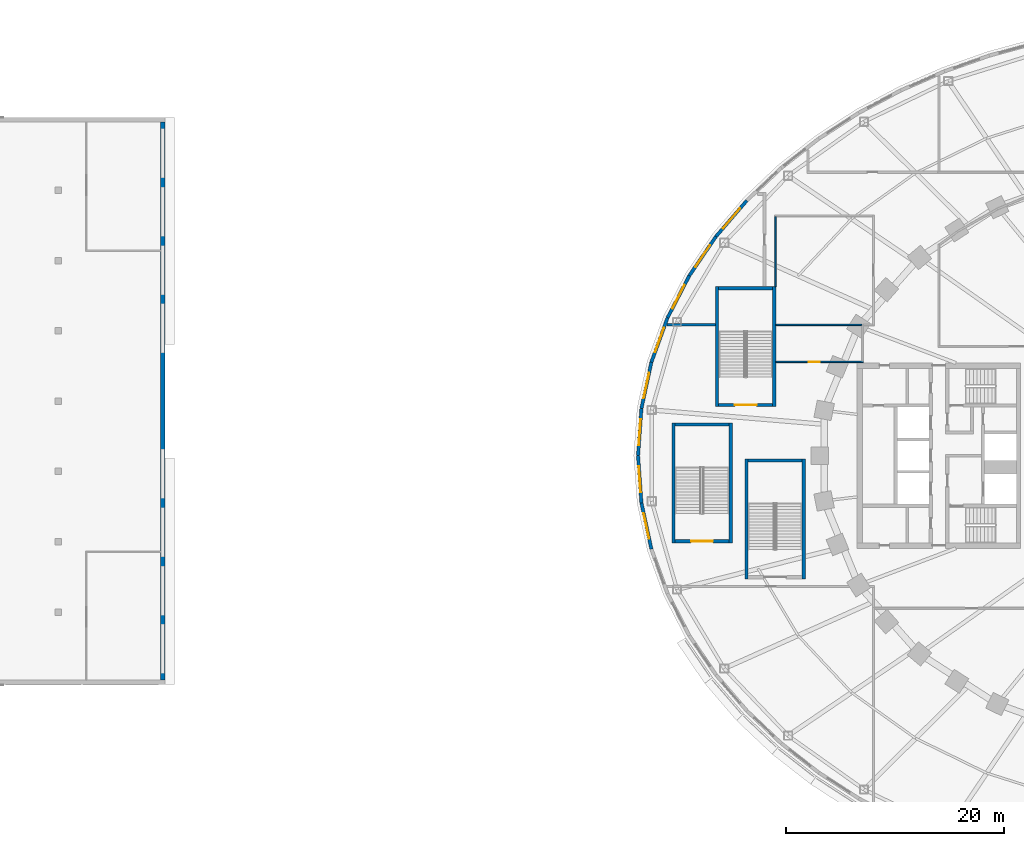
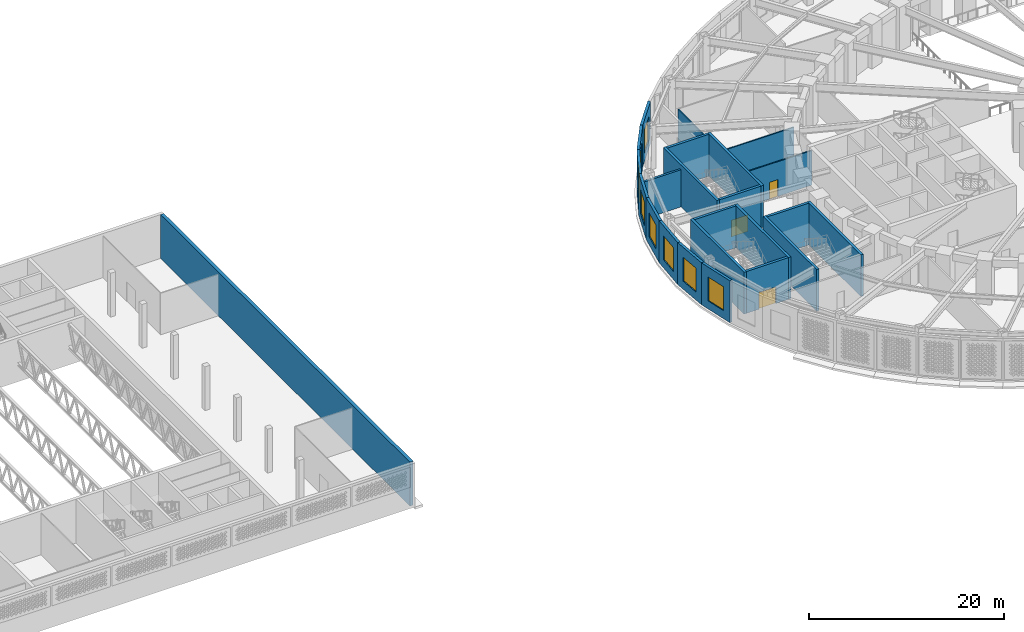
# One storey, part 13 of 69: 24 walls, 8 windows, 3 doors, 11 openings.
"""IFC4 building model written with IfcOpenShell, lengths in metres."""

from ifc_helpers import new_model, si_unit, direction, frame, frame_2d, origin, place, context, subcontext, project, spatial, rectangle, extrude, material, layer, layer_set, type_object, element, fill, save


model = new_model("IFC4")

# Units and contexts
model_context = context("Model", 3, precision=1e-05, world=origin(), true_north=direction((0.0, 1.0)))
body_context = subcontext(model_context, "Body", "Model", "MODEL_VIEW")
ifc_project = project(units=[si_unit("LENGTHUNIT", "METRE"), si_unit("AREAUNIT", "SQUARE_METRE"), si_unit("VOLUMEUNIT", "CUBIC_METRE"), si_unit("PLANEANGLEUNIT", "RADIAN"), si_unit("MASSUNIT", "GRAM", prefix="KILO")], contexts=[model_context])

# Site, building, storey
site_placement = place(None, origin())
site = spatial("IfcSite", under=ifc_project, at=site_placement, CompositionType="ELEMENT")
building_placement = place(site_placement, origin())
building = spatial("IfcBuilding", under=site, at=building_placement, Name="Noorbagh Ring Tower", CompositionType="ELEMENT")
storey_placement = place(building_placement, frame((0.0, 0.0, 19.5)))
storey = spatial("IfcBuildingStorey", under=building, at=storey_placement, Name="L03", CompositionType="ELEMENT", Elevation=19.5)

# Wall, opening, window
ifc_material_1 = material(Name="Blockwork faced with red sandstone", Category="masonry")
ifc_layer_1 = layer(ifc_material_1, 0.300048828125)
ifc_layer_set_1 = layer_set([ifc_layer_1], Name="Blockwork faced with red sandstone")
wall_type_1 = type_object("IfcWallType", Name="GND-ENV-WALL", PredefinedType="SOLIDWALL", material=ifc_layer_set_1)
wall_1_placement = place(storey_placement, frame((-41.61669921875, 23.406005859375, 0.0), z_axis=(0.0, 0.0, 1.0), x_axis=(-0.651387059497, -0.758745608699, 0.0)))
wall_1 = element("IfcWall", 1, at=wall_1_placement, inside=storey, type_object=wall_type_1, Name="Podium wall", PredefinedType="SOLIDWALL", context=body_context, shape_type="SweptSolid", body=[
    extrude(rectangle(XDim=4.3525390625, YDim=0.300048828125, at=frame_2d((2.17626953125, 0.0))), origin(), (0.0, 0.0, 1.0), 5.25),
])
opening_1_placement = place(wall_1_placement, frame((0.976318359375, 0.0, 1.0)))
opening_1 = element("IfcOpeningElement", 2, at=opening_1_placement, cuts=wall_1, Name="Opening GWN1", PredefinedType="OPENING", context=body_context, shape_type="SweptSolid", body=[
    extrude(rectangle(XDim=2.39990234375, YDim=3.0, at=frame_2d((1.199951171875, 1.5))), frame((0.0, 0.16015625, 0.0), z_axis=(0.0, -1.0, 0.0), x_axis=(1.0, 0.0, 0.0)), (0.0, 0.0, 1.0), 0.320068359375),
])
ifc_material_2 = material(Name="Aluminium and glass", Category="aluminium")
window_type = type_object("IfcWindowType", Name="GND-ENV-WINDOW", PartitioningType="SINGLE_PANEL", PredefinedType="WINDOW", material=ifc_material_2)
window_1_placement = place(opening_1_placement, origin())
window_1 = element("IfcWindow", 3, at=window_1_placement, inside=storey, type_object=window_type, Name="L03 podium window", OverallHeight=3.0, OverallWidth=2.39990234375, PartitioningType="SINGLE_PANEL", PredefinedType="WINDOW", context=body_context, shape_type="SweptSolid", body=[
    extrude(rectangle(XDim=2.39990234375, YDim=3.0, at=frame_2d((1.199951171875, 1.5))), frame((0.0, 0.030029296875, 0.0), z_axis=(0.0, -1.0, 0.0), x_axis=(1.0, 0.0, 0.0)), (0.0, 0.0, 1.0), 0.06005859375),
])
fill(opening_1, window_1)

wall_2_placement = place(storey_placement, frame((-44.451904296875, 20.103515625, 0.0), z_axis=(0.0, 0.0, 1.0), x_axis=(-0.562667738859, -0.82668314102, 0.0)))
wall_2 = element("IfcWall", 4, at=wall_2_placement, inside=storey, type_object=wall_type_1, Name="Podium wall", PredefinedType="SOLIDWALL", context=body_context, shape_type="SweptSolid", body=[
    extrude(rectangle(XDim=4.348876953125, YDim=0.300048828125, at=frame_2d((2.17431640625, 0.0))), origin(), (0.0, 0.0, 1.0), 5.25),
])
opening_2_placement = place(wall_2_placement, frame((0.974365234375, 0.0, 1.0)))
opening_2 = element("IfcOpeningElement", 5, at=opening_2_placement, cuts=wall_2, Name="Opening GWN1", PredefinedType="OPENING", context=body_context, shape_type="SweptSolid", body=[
    extrude(rectangle(XDim=2.39990234375, YDim=3.0, at=frame_2d((1.199951171875, 1.5))), frame((0.0, 0.16015625, 0.0), z_axis=(0.0, -1.0, 0.0), x_axis=(1.0, 0.0, 0.0)), (0.0, 0.0, 1.0), 0.320068359375),
])
window_2_placement = place(opening_2_placement, origin())
window_2 = element("IfcWindow", 6, at=window_2_placement, inside=storey, type_object=window_type, Name="L03 podium window", OverallHeight=3.0, OverallWidth=2.39990234375, PartitioningType="SINGLE_PANEL", PredefinedType="WINDOW", context=body_context, shape_type="SweptSolid", body=[
    extrude(rectangle(XDim=2.39990234375, YDim=3.0, at=frame_2d((1.199951171875, 1.5))), frame((0.0, 0.030029296875, 0.0), z_axis=(0.0, -1.0, 0.0), x_axis=(1.0, 0.0, 0.0)), (0.0, 0.0, 1.0), 0.06005859375),
])
fill(opening_2, window_2)

wall_3_placement = place(storey_placement, frame((-46.89892578125, 16.50830078125, 0.0), z_axis=(0.0, 0.0, 1.0), x_axis=(-0.459242531468, -0.888310923771, 0.0)))
wall_3 = element("IfcWall", 7, at=wall_3_placement, inside=storey, type_object=wall_type_1, Name="Podium wall", PredefinedType="SOLIDWALL", context=body_context, shape_type="SweptSolid", body=[
    extrude(rectangle(XDim=4.344970703125, YDim=0.300048828125, at=frame_2d((2.17236328125, 0.0))), origin(), (0.0, 0.0, 1.0), 5.25),
])
opening_3_placement = place(wall_3_placement, frame((0.972412109375, 0.0, 1.0)))
opening_3 = element("IfcOpeningElement", 8, at=opening_3_placement, cuts=wall_3, Name="Opening GWN1", PredefinedType="OPENING", context=body_context, shape_type="SweptSolid", body=[
    extrude(rectangle(XDim=2.39990234375, YDim=3.0, at=frame_2d((1.199951171875, 1.5))), frame((0.0, 0.16015625, 0.0), z_axis=(0.0, -1.0, 0.0), x_axis=(1.0, 0.0, 0.0)), (0.0, 0.0, 1.0), 0.320068359375),
])
window_3_placement = place(opening_3_placement, origin())
window_3 = element("IfcWindow", 9, at=window_3_placement, inside=storey, type_object=window_type, Name="L03 podium window", OverallHeight=3.0, OverallWidth=2.39990234375, PartitioningType="SINGLE_PANEL", PredefinedType="WINDOW", context=body_context, shape_type="SweptSolid", body=[
    extrude(rectangle(XDim=2.39990234375, YDim=3.0, at=frame_2d((1.199951171875, 1.5))), frame((0.0, 0.030029296875, 0.0), z_axis=(0.0, -1.0, 0.0), x_axis=(1.0, 0.0, 0.0)), (0.0, 0.0, 1.0), 0.06005859375),
])
fill(opening_3, window_3)

wall_4_placement = place(storey_placement, frame((-48.894287109375, 12.648681640625, 0.0), z_axis=(0.0, 0.0, 1.0), x_axis=(-0.341286990045, -0.939959142956, 0.0)))
wall_4 = element("IfcWall", 10, at=wall_4_placement, inside=storey, type_object=wall_type_1, Name="Podium wall", PredefinedType="SOLIDWALL", context=body_context, shape_type="SweptSolid", body=[
    extrude(rectangle(XDim=4.341552734375, YDim=0.300048828125, at=frame_2d((2.1708984375, 0.0))), origin(), (0.0, 0.0, 1.0), 5.25),
])
opening_4_placement = place(wall_4_placement, frame((0.970703125, 0.0, 1.0)))
opening_4 = element("IfcOpeningElement", 11, at=opening_4_placement, cuts=wall_4, Name="Opening GWN1", PredefinedType="OPENING", context=body_context, shape_type="SweptSolid", body=[
    extrude(rectangle(XDim=2.39990234375, YDim=3.0, at=frame_2d((1.199951171875, 1.5))), frame((0.0, 0.16015625, 0.0), z_axis=(0.0, -1.0, 0.0), x_axis=(1.0, 0.0, 0.0)), (0.0, 0.0, 1.0), 0.320068359375),
])
window_4_placement = place(opening_4_placement, origin())
window_4 = element("IfcWindow", 12, at=window_4_placement, inside=storey, type_object=window_type, Name="L03 podium window", OverallHeight=3.0, OverallWidth=2.39990234375, PartitioningType="SINGLE_PANEL", PredefinedType="WINDOW", context=body_context, shape_type="SweptSolid", body=[
    extrude(rectangle(XDim=2.39990234375, YDim=3.0, at=frame_2d((1.199951171875, 1.5))), frame((0.0, 0.030029296875, 0.0), z_axis=(0.0, -1.0, 0.0), x_axis=(1.0, 0.0, 0.0)), (0.0, 0.0, 1.0), 0.06005859375),
])
fill(opening_4, window_4)

wall_5_placement = place(storey_placement, frame((-50.3759765625, 8.56787109375, 0.0), z_axis=(0.0, 0.0, 1.0), x_axis=(-0.210616468766, -0.977568771537, 0.0)))
wall_5 = element("IfcWall", 13, at=wall_5_placement, inside=storey, type_object=wall_type_1, Name="Podium wall", PredefinedType="SOLIDWALL", context=body_context, shape_type="SweptSolid", body=[
    extrude(rectangle(XDim=4.3388671875, YDim=0.300048828125, at=frame_2d((2.16943359375, 0.0))), origin(), (0.0, 0.0, 1.0), 5.25),
])
opening_5_placement = place(wall_5_placement, frame((0.969482421875, 0.0, 1.0)))
opening_5 = element("IfcOpeningElement", 14, at=opening_5_placement, cuts=wall_5, Name="Opening GWN1", PredefinedType="OPENING", context=body_context, shape_type="SweptSolid", body=[
    extrude(rectangle(XDim=2.39990234375, YDim=3.0, at=frame_2d((1.199951171875, 1.5))), frame((0.0, 0.16015625, 0.0), z_axis=(0.0, -1.0, 0.0), x_axis=(1.0, 0.0, 0.0)), (0.0, 0.0, 1.0), 0.320068359375),
])
window_5_placement = place(opening_5_placement, origin())
window_5 = element("IfcWindow", 15, at=window_5_placement, inside=storey, type_object=window_type, Name="L03 podium window", OverallHeight=3.0, OverallWidth=2.39990234375, PartitioningType="SINGLE_PANEL", PredefinedType="WINDOW", context=body_context, shape_type="SweptSolid", body=[
    extrude(rectangle(XDim=2.39990234375, YDim=3.0, at=frame_2d((1.199951171875, 1.5))), frame((0.0, 0.030029296875, 0.0), z_axis=(0.0, -1.0, 0.0), x_axis=(1.0, 0.0, 0.0)), (0.0, 0.0, 1.0), 0.06005859375),
])
fill(opening_5, window_5)

wall_6_placement = place(storey_placement, frame((-51.289794921875, 4.326416015625, 0.0), z_axis=(0.0, 0.0, 1.0), x_axis=(-0.071315050824, -0.997453840298, 0.0)))
wall_6 = element("IfcWall", 16, at=wall_6_placement, inside=storey, type_object=wall_type_1, Name="Podium wall", PredefinedType="SOLIDWALL", context=body_context, shape_type="SweptSolid", body=[
    extrude(rectangle(XDim=4.33740234375, YDim=0.300048828125, at=frame_2d((2.168701171875, 0.0))), origin(), (0.0, 0.0, 1.0), 5.25),
])
opening_6_placement = place(wall_6_placement, frame((0.96875, 0.0, 1.0)))
opening_6 = element("IfcOpeningElement", 17, at=opening_6_placement, cuts=wall_6, Name="Opening GWN1", PredefinedType="OPENING", context=body_context, shape_type="SweptSolid", body=[
    extrude(rectangle(XDim=2.39990234375, YDim=3.0, at=frame_2d((1.199951171875, 1.5))), frame((0.0, 0.16015625, 0.0), z_axis=(0.0, -1.0, 0.0), x_axis=(1.0, 0.0, 0.0)), (0.0, 0.0, 1.0), 0.320068359375),
])
window_6_placement = place(opening_6_placement, origin())
window_6 = element("IfcWindow", 18, at=window_6_placement, inside=storey, type_object=window_type, Name="L03 podium window", OverallHeight=3.0, OverallWidth=2.39990234375, PartitioningType="SINGLE_PANEL", PredefinedType="WINDOW", context=body_context, shape_type="SweptSolid", body=[
    extrude(rectangle(XDim=2.39990234375, YDim=3.0, at=frame_2d((1.199951171875, 1.5))), frame((0.0, 0.030029296875, 0.0), z_axis=(0.0, -1.0, 0.0), x_axis=(1.0, 0.0, 0.0)), (0.0, 0.0, 1.0), 0.06005859375),
])
fill(opening_6, window_6)

wall_7_placement = place(storey_placement, frame((-51.59912109375, 0.0, 0.0), z_axis=(0.0, 0.0, 1.0), x_axis=(0.071315050824, -0.997453840298, 0.0)))
wall_7 = element("IfcWall", 19, at=wall_7_placement, inside=storey, type_object=wall_type_1, Name="Podium wall", PredefinedType="SOLIDWALL", context=body_context, shape_type="SweptSolid", body=[
    extrude(rectangle(XDim=4.33740234375, YDim=0.300048828125, at=frame_2d((2.168701171875, 0.0))), origin(), (0.0, 0.0, 1.0), 5.25),
])
opening_7_placement = place(wall_7_placement, frame((0.96875, 0.0, 1.0)))
opening_7 = element("IfcOpeningElement", 20, at=opening_7_placement, cuts=wall_7, Name="Opening GWN1", PredefinedType="OPENING", context=body_context, shape_type="SweptSolid", body=[
    extrude(rectangle(XDim=2.39990234375, YDim=3.0, at=frame_2d((1.199951171875, 1.5))), frame((0.0, 0.16015625, 0.0), z_axis=(0.0, -1.0, 0.0), x_axis=(1.0, 0.0, 0.0)), (0.0, 0.0, 1.0), 0.320068359375),
])
window_7_placement = place(opening_7_placement, origin())
window_7 = element("IfcWindow", 21, at=window_7_placement, inside=storey, type_object=window_type, Name="L03 podium window", OverallHeight=3.0, OverallWidth=2.39990234375, PartitioningType="SINGLE_PANEL", PredefinedType="WINDOW", context=body_context, shape_type="SweptSolid", body=[
    extrude(rectangle(XDim=2.39990234375, YDim=3.0, at=frame_2d((1.199951171875, 1.5))), frame((0.0, 0.030029296875, 0.0), z_axis=(0.0, -1.0, 0.0), x_axis=(1.0, 0.0, 0.0)), (0.0, 0.0, 1.0), 0.06005859375),
])
fill(opening_7, window_7)

wall_8_placement = place(storey_placement, frame((-51.289794921875, -4.326416015625, 0.0), z_axis=(0.0, 0.0, 1.0), x_axis=(0.210616468766, -0.977568771537, 0.0)))
wall_8 = element("IfcWall", 22, at=wall_8_placement, inside=storey, type_object=wall_type_1, Name="Podium wall", PredefinedType="SOLIDWALL", context=body_context, shape_type="SweptSolid", body=[
    extrude(rectangle(XDim=4.3388671875, YDim=0.300048828125, at=frame_2d((2.16943359375, 0.0))), origin(), (0.0, 0.0, 1.0), 5.25),
])
opening_8_placement = place(wall_8_placement, frame((0.969482421875, 0.0, 1.0)))
opening_8 = element("IfcOpeningElement", 23, at=opening_8_placement, cuts=wall_8, Name="Opening GWN1", PredefinedType="OPENING", context=body_context, shape_type="SweptSolid", body=[
    extrude(rectangle(XDim=2.39990234375, YDim=3.0, at=frame_2d((1.199951171875, 1.5))), frame((0.0, 0.16015625, 0.0), z_axis=(0.0, -1.0, 0.0), x_axis=(1.0, 0.0, 0.0)), (0.0, 0.0, 1.0), 0.320068359375),
])
window_8_placement = place(opening_8_placement, origin())
window_8 = element("IfcWindow", 24, at=window_8_placement, inside=storey, type_object=window_type, Name="L03 podium window", OverallHeight=3.0, OverallWidth=2.39990234375, PartitioningType="SINGLE_PANEL", PredefinedType="WINDOW", context=body_context, shape_type="SweptSolid", body=[
    extrude(rectangle(XDim=2.39990234375, YDim=3.0, at=frame_2d((1.199951171875, 1.5))), frame((0.0, 0.030029296875, 0.0), z_axis=(0.0, -1.0, 0.0), x_axis=(1.0, 0.0, 0.0)), (0.0, 0.0, 1.0), 0.06005859375),
])
fill(opening_8, window_8)

# Walls
ifc_material_3 = material(Name="Gypsum board on steel studs", Category="steel")
ifc_layer_2 = layer(ifc_material_3, 0.14990234375)
ifc_layer_set_2 = layer_set([ifc_layer_2], Name="Gypsum board on steel studs")
wall_type_2 = type_object("IfcWallType", Name="GND-PART-150", PredefinedType="PARTITIONING", material=ifc_layer_set_2)
wall_9_placement = place(storey_placement, frame((-31.06494140625, 12.0, 0.0), z_axis=(0.0, 0.0, 1.0), x_axis=(-1.0, 0.0, 0.0)))
element("IfcWall", 25, at=wall_9_placement, inside=storey, type_object=wall_type_2, Name="L03/wall/P028", PredefinedType="PARTITIONING", context=body_context, shape_type="SweptSolid", body=[
    extrude(rectangle(XDim=7.885009765625, YDim=0.14990234375, at=frame_2d((3.9423828125, 0.0))), origin(), (0.0, 0.0, 1.0), 5.25),
])
wall_10_placement = place(storey_placement, frame((-39.0, 15.5, 0.0), z_axis=(0.0, 0.0, 1.0), x_axis=(0.0, 1.0, 0.0)))
element("IfcWall", 26, at=wall_10_placement, inside=storey, type_object=wall_type_2, Name="L03/wall/P031", PredefinedType="PARTITIONING", context=body_context, shape_type="SweptSolid", body=[
    extrude(rectangle(XDim=6.425048828125, YDim=0.14990234375, at=frame_2d((3.21240234375, 0.0))), origin(), (0.0, 0.0, 1.0), 4.25),
])

# Wall, opening, door
wall_11_placement = place(storey_placement, frame((-30.925048828125, 8.60009765625, 0.0), z_axis=(0.0, 0.0, 1.0), x_axis=(-1.0, 0.0, 0.0)))
wall_11 = element("IfcWall", 27, at=wall_11_placement, inside=storey, type_object=wall_type_2, Name="L03/wall/P033", PredefinedType="PARTITIONING", context=body_context, shape_type="SweptSolid", body=[
    extrude(rectangle(XDim=8.02490234375, YDim=0.14990234375, at=frame_2d((4.012451171875, 0.0))), origin(), (0.0, 0.0, 1.0), 4.35009765625),
])
opening_9_placement = place(wall_11_placement, frame((4.012451171875, 0.0, 0.0)))
opening_9 = element("IfcOpeningElement", 28, at=opening_9_placement, cuts=wall_11, Name="Opening GD6", PredefinedType="OPENING", context=body_context, shape_type="SweptSolid", body=[
    extrude(rectangle(XDim=1.0, YDim=2.10009765625, at=frame_2d((0.5, 1.050048828125))), frame((0.0, 0.0849609375, 0.0), z_axis=(0.0, -1.0, 0.0), x_axis=(1.0, 0.0, 0.0)), (0.0, 0.0, 1.0), 0.169921875),
])
ifc_material_4 = material(Name="Timber", Category="wood")
door_type_1 = type_object("IfcDoorType", Name="GND-DOOR-HALL", OperationType="SINGLE_SWING_LEFT", PredefinedType="DOOR", material=ifc_material_4)
door_1_placement = place(opening_9_placement, origin())
door_1 = element("IfcDoor", 29, at=door_1_placement, inside=storey, type_object=door_type_1, Name="Accessible WC door", OperationType="SINGLE_SWING_LEFT", OverallHeight=2.10009765625, OverallWidth=1.0, PredefinedType="DOOR", context=body_context, shape_type="SweptSolid", body=[
    extrude(rectangle(XDim=1.0, YDim=2.10009765625, at=frame_2d((0.5, 1.050048828125))), frame((0.0, 0.02490234375, 0.0), z_axis=(0.0, -1.0, 0.0), x_axis=(1.0, 0.0, 0.0)), (0.0, 0.0, 1.0), 0.050048828125),
])
fill(opening_9, door_1)

# Walls
ifc_material_5 = material(Name="Reinforced blockwork", Category="masonry")
ifc_layer_3 = layer(ifc_material_5, 0.25)
ifc_layer_set_3 = layer_set([ifc_layer_3], Name="Reinforced blockwork")
wall_type_3 = type_object("IfcWallType", Name="GND-PART-250", PredefinedType="PARTITIONING", material=ifc_layer_set_3)
wall_12_placement = place(storey_placement, frame((-44.5, 12.0, 0.0), z_axis=(0.0, 0.0, 1.0), x_axis=(-1.0, 0.0, 0.0)))
element("IfcWall", 30, at=wall_12_placement, inside=storey, type_object=wall_type_3, Name="L03/wall/P025", PredefinedType="PARTITIONING", context=body_context, shape_type="SweptSolid", body=[
    extrude(rectangle(XDim=4.430419921875, YDim=0.25, at=frame_2d((2.21533203125, 0.0))), origin(), (0.0, 0.0, 1.0), 4.64990234375),
])
ifc_material_6 = material(Name="Concrete C60/75", Category="concrete")
ifc_layer_4 = layer(ifc_material_6, 0.300048828125)
ifc_layer_set_4 = layer_set([ifc_layer_4], Name="Concrete C60/75")
wall_type_4 = type_object("IfcWallType", Name="GND-STAIR-WALL", PredefinedType="SHEAR", material=ifc_layer_set_4)
for number, where, z_axis, x_axis, name in (
    (31, (-41.64990234375, -11.300048828125, 0.0), (0.0, 0.0, 1.0), (0.0, 1.0, 0.0), "Exit stair ST-P1 wall"),
    (32, (-36.39990234375, -11.300048828125, 0.0), (0.0, 0.0, 1.0), (0.0, 1.0, 0.0), "Exit stair ST-P1 wall"),
):
    element("IfcWall", number, at=place(storey_placement, frame(where, z_axis=z_axis, x_axis=x_axis)), inside=storey, type_object=wall_type_4, Name=name, PredefinedType="SHEAR", context=body_context, shape_type="SweptSolid", body=[
        extrude(rectangle(XDim=11.0, YDim=0.300048828125, at=frame_2d((5.5, 0.0))), origin(), (0.0, 0.0, 1.0), 5.25),
    ])
wall_13_placement = place(storey_placement, frame((-41.5, -0.449951171875, 0.0), z_axis=(0.0, 0.0, 1.0), x_axis=(1.0, 0.0, 0.0)))
element("IfcWall", 33, at=wall_13_placement, inside=storey, type_object=wall_type_4, Name="Exit stair ST-P1 wall", PredefinedType="SHEAR", context=body_context, shape_type="SweptSolid", body=[
    extrude(rectangle(XDim=4.949951171875, YDim=0.300048828125, at=frame_2d((2.47509765625, 0.0))), origin(), (0.0, 0.0, 1.0), 5.25),
])
for number, where, z_axis, x_axis, name in (
    (34, (-48.35009765625, -8.0, 0.0), (0.0, 0.0, 1.0), (0.0, 1.0, 0.0), "Exit stair ST-P3 wall"),
    (35, (-43.10009765625, -8.0, 0.0), (0.0, 0.0, 1.0), (0.0, 1.0, 0.0), "Exit stair ST-P3 wall"),
):
    element("IfcWall", number, at=place(storey_placement, frame(where, z_axis=z_axis, x_axis=x_axis)), inside=storey, type_object=wall_type_4, Name=name, PredefinedType="SHEAR", context=body_context, shape_type="SweptSolid", body=[
        extrude(rectangle(XDim=11.0, YDim=0.300048828125, at=frame_2d((5.5, 0.0))), origin(), (0.0, 0.0, 1.0), 5.25),
    ])

# Wall, opening, door
wall_14_placement = place(storey_placement, frame((-48.199951171875, -7.85009765625, 0.0), z_axis=(0.0, 0.0, 1.0), x_axis=(1.0, 0.0, 0.0)))
wall_14 = element("IfcWall", 36, at=wall_14_placement, inside=storey, type_object=wall_type_4, Name="Exit stair ST-P3 wall", PredefinedType="SHEAR", context=body_context, shape_type="SweptSolid", body=[
    extrude(rectangle(XDim=4.949951171875, YDim=0.300048828125, at=frame_2d((2.47509765625, 0.0))), origin(), (0.0, 0.0, 1.0), 5.25),
])
opening_10_placement = place(wall_14_placement, frame((1.47509765625, 0.0, 0.0)))
opening_10 = element("IfcOpeningElement", 37, at=opening_10_placement, cuts=wall_14, Name="Opening GD17", PredefinedType="OPENING", context=body_context, shape_type="SweptSolid", body=[
    extrude(rectangle(XDim=2.0, YDim=2.10009765625, at=frame_2d((1.0, 1.050048828125))), frame((0.0, 0.16015625, 0.0), z_axis=(0.0, -1.0, 0.0), x_axis=(1.0, 0.0, 0.0)), (0.0, 0.0, 1.0), 0.320068359375),
])
ifc_material_7 = material(Name="Steel", Category="steel")
door_type_2 = type_object("IfcDoorType", Name="GND-STAIR-DOOR", OperationType="DOUBLE_DOOR_SINGLE_SWING", PredefinedType="DOOR", material=ifc_material_7)
door_2_placement = place(opening_10_placement, origin())
door_2 = element("IfcDoor", 38, at=door_2_placement, inside=storey, type_object=door_type_2, Name="Exit stair ST-P3 door", OperationType="DOUBLE_DOOR_SINGLE_SWING", OverallHeight=2.10009765625, OverallWidth=2.0, PredefinedType="DOOR", context=body_context, shape_type="SweptSolid", body=[
    extrude(rectangle(XDim=2.0, YDim=2.10009765625, at=frame_2d((1.0, 1.050048828125))), frame((0.0, 0.02490234375, 0.0), z_axis=(0.0, -1.0, 0.0), x_axis=(1.0, 0.0, 0.0)), (0.0, 0.0, 1.0), 0.050048828125),
])
fill(opening_10, door_2)

# Walls
wall_15_placement = place(storey_placement, frame((-48.199951171875, 2.85009765625, 0.0), z_axis=(0.0, 0.0, 1.0), x_axis=(1.0, 0.0, 0.0)))
element("IfcWall", 39, at=wall_15_placement, inside=storey, type_object=wall_type_4, Name="Exit stair ST-P3 wall", PredefinedType="SHEAR", context=body_context, shape_type="SweptSolid", body=[
    extrude(rectangle(XDim=4.949951171875, YDim=0.300048828125, at=frame_2d((2.47509765625, 0.0))), origin(), (0.0, 0.0, 1.0), 5.25),
])
for number, where, z_axis, x_axis, name in (
    (40, (-44.35009765625, 4.5, 0.0), (0.0, 0.0, 1.0), (0.0, 1.0, 0.0), "Exit stair ST-P7 wall"),
    (41, (-39.10009765625, 4.5, 0.0), (0.0, 0.0, 1.0), (0.0, 1.0, 0.0), "Exit stair ST-P7 wall"),
):
    element("IfcWall", number, at=place(storey_placement, frame(where, z_axis=z_axis, x_axis=x_axis)), inside=storey, type_object=wall_type_4, Name=name, PredefinedType="SHEAR", context=body_context, shape_type="SweptSolid", body=[
        extrude(rectangle(XDim=11.0, YDim=0.300048828125, at=frame_2d((5.5, 0.0))), origin(), (0.0, 0.0, 1.0), 5.25),
    ])

# Wall, opening, door
wall_16_placement = place(storey_placement, frame((-44.199951171875, 4.64990234375, 0.0), z_axis=(0.0, 0.0, 1.0), x_axis=(1.0, 0.0, 0.0)))
wall_16 = element("IfcWall", 42, at=wall_16_placement, inside=storey, type_object=wall_type_4, Name="Exit stair ST-P7 wall", PredefinedType="SHEAR", context=body_context, shape_type="SweptSolid", body=[
    extrude(rectangle(XDim=4.949951171875, YDim=0.300048828125, at=frame_2d((2.47509765625, 0.0))), origin(), (0.0, 0.0, 1.0), 5.25),
])
opening_11_placement = place(wall_16_placement, frame((1.47509765625, 0.0, 0.0)))
opening_11 = element("IfcOpeningElement", 43, at=opening_11_placement, cuts=wall_16, Name="Opening GD17", PredefinedType="OPENING", context=body_context, shape_type="SweptSolid", body=[
    extrude(rectangle(XDim=2.0, YDim=2.10009765625, at=frame_2d((1.0, 1.050048828125))), frame((0.0, 0.16015625, 0.0), z_axis=(0.0, -1.0, 0.0), x_axis=(1.0, 0.0, 0.0)), (0.0, 0.0, 1.0), 0.320068359375),
])
door_3_placement = place(opening_11_placement, origin())
door_3 = element("IfcDoor", 44, at=door_3_placement, inside=storey, type_object=door_type_2, Name="Exit stair ST-P7 door", OperationType="DOUBLE_DOOR_SINGLE_SWING", OverallHeight=2.10009765625, OverallWidth=2.0, PredefinedType="DOOR", context=body_context, shape_type="SweptSolid", body=[
    extrude(rectangle(XDim=2.0, YDim=2.10009765625, at=frame_2d((1.0, 1.050048828125))), frame((0.0, 0.02490234375, 0.0), z_axis=(0.0, -1.0, 0.0), x_axis=(1.0, 0.0, 0.0)), (0.0, 0.0, 1.0), 0.050048828125),
])
fill(opening_11, door_3)

# Walls
wall_17_placement = place(storey_placement, frame((-44.199951171875, 15.35009765625, 0.0), z_axis=(0.0, 0.0, 1.0), x_axis=(1.0, 0.0, 0.0)))
element("IfcWall", 45, at=wall_17_placement, inside=storey, type_object=wall_type_4, Name="Exit stair ST-P7 wall", PredefinedType="SHEAR", context=body_context, shape_type="SweptSolid", body=[
    extrude(rectangle(XDim=4.949951171875, YDim=0.300048828125, at=frame_2d((2.47509765625, 0.0))), origin(), (0.0, 0.0, 1.0), 5.25),
])
ifc_material_8 = material(Name="Concrete C40/50", Category="concrete")
ifc_layer_5 = layer(ifc_material_8, 0.39990234375)
ifc_layer_set_5 = layer_set([ifc_layer_5], Name="Concrete C40/50")
wall_type_5 = type_object("IfcWallType", Name="TH-WALL-OUTER", PredefinedType="SOLIDWALL", material=ifc_layer_set_5)
wall_18_placement = place(storey_placement, frame((-95.199951171875, -20.60009765625, 0.0), z_axis=(0.0, 0.0, 1.0), x_axis=(0.0, 1.0, 0.0)))
element("IfcWall", 46, at=wall_18_placement, inside=storey, type_object=wall_type_5, Name="Outer wall east", PredefinedType="SOLIDWALL", context=body_context, shape_type="SweptSolid", body=[
    extrude(rectangle(XDim=51.2001953125, YDim=0.39990234375, at=frame_2d((25.60009765625, 0.0))), origin(), (0.0, 0.0, 1.0), 5.5),
])

save(model, "model.ifc")
